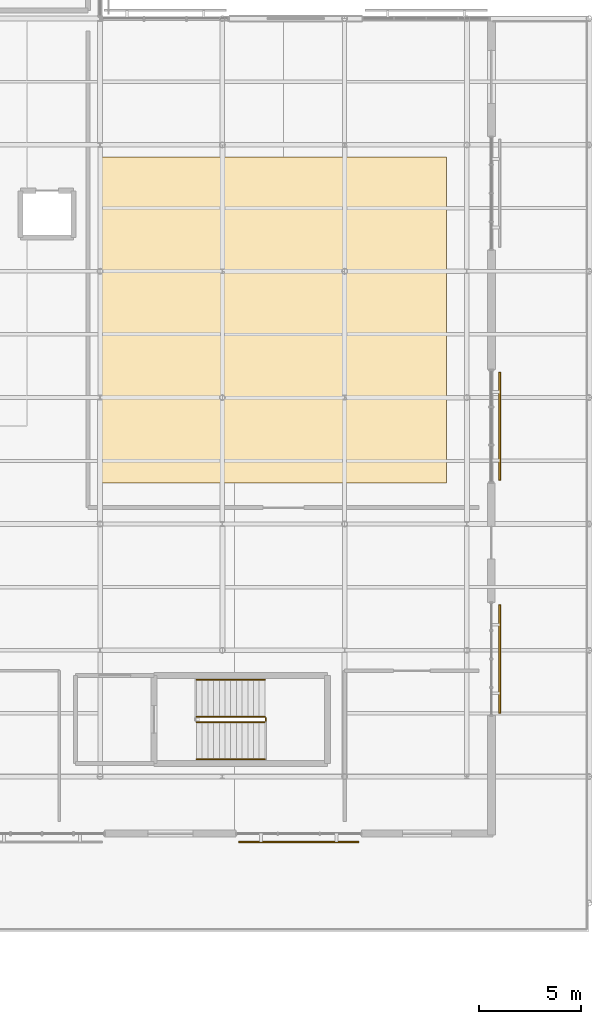
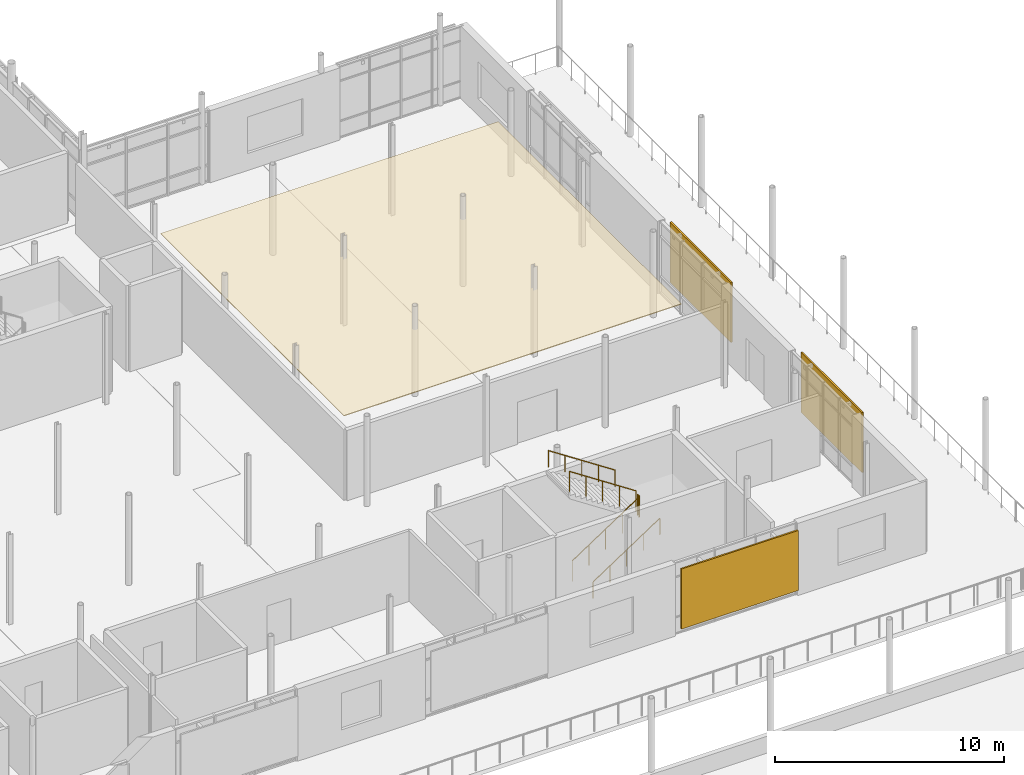
# One storey, part 65 of 66: 5 railings, 3 shading devices, 1 covering.
"""IFC4 building model written with IfcOpenShell, lengths in metres."""

from ifc_helpers import new_model, si_unit, direction, frame, origin, origin_2d, place, context, subcontext, project, spatial, polyline, rectangle, circle, outline, extrude, material, layer, layer_set, type_object, element, save


model = new_model("IFC4")

# Units and contexts
model_context = context("Model", 3, precision=1e-05, world=origin(), true_north=direction((0.0, 1.0)))
body_context = subcontext(model_context, "Body", "Model", "MODEL_VIEW")
ifc_project = project(units=[si_unit("LENGTHUNIT", "METRE"), si_unit("AREAUNIT", "SQUARE_METRE"), si_unit("VOLUMEUNIT", "CUBIC_METRE"), si_unit("PLANEANGLEUNIT", "RADIAN"), si_unit("MASSUNIT", "GRAM", prefix="KILO")], contexts=[model_context])

# Site, building, storey
site_placement = place(None, origin())
site = spatial("IfcSite", under=ifc_project, at=site_placement, CompositionType="ELEMENT")
building_placement = place(site_placement, origin())
building = spatial("IfcBuilding", under=site, at=building_placement, Name="Mirzam Square Science Centre", CompositionType="ELEMENT")
storey_placement = place(building_placement, frame((0.0, 0.0, 15.60009765625)))
storey = spatial("IfcBuildingStorey", under=building, at=storey_placement, Name="L03", CompositionType="ELEMENT", Elevation=15.60009765625)

# Covering
ifc_material_1 = material(Name="Perforated Mineral-Wool Acoustic Ceiling", Category="gypsum")
ifc_layer_1 = layer(ifc_material_1, 0.0400390625)
ifc_layer_set_1 = layer_set([ifc_layer_1], Name="COV-ACOUST-CEIL")
covering_type = type_object("IfcCoveringType", Name="COV-ACOUST-CEIL", PredefinedType="CEILING", material=ifc_layer_set_1)
covering_placement = place(storey_placement, frame((0.0, 0.0, 3.510009765625)))
element("IfcCovering", 1, at=covering_placement, inside=storey, type_object=covering_type, Name="L03 acoustic ceiling 06", PredefinedType="CEILING", context=body_context, shape_type="SweptSolid", body=[
    extrude(outline(polyline([(138.0, 64.0), (155.0, 64.0), (155.0, 80.0), (138.0, 80.0), (138.0, 64.0)])), origin(), (0.0, 0.0, 1.0), 0.039794921875),
])

# Railings
ifc_material_2 = material(Name="Bronze-Anodised Architectural Balustrade", Category="aluminium")
railing_type_1 = type_object("IfcRailingType", Name="RL-INT-GUARD-1100", PredefinedType="GUARDRAIL", material=ifc_material_2)
railing_1_placement = place(storey_placement, frame((142.72998046875, 52.280029296875, 0.1845703125)))
element("IfcRailing", 2, at=railing_1_placement, inside=storey, type_object=railing_type_1, Name="L03 ST-05 stair guard 1", PredefinedType="GUARDRAIL", context=body_context, shape_type="SweptSolid", body=[
    extrude(circle(Radius=0.02392578125, at=origin_2d()), frame((0.0, 0.0, 1.076171875), z_axis=(0.834876476806, 0.0, 0.550437342915), x_axis=(0.0, 1.0, 0.0)), (0.0, 0.0, 1.0), 4.024658203125),
    extrude(circle(Radius=0.02099609375, at=origin_2d()), origin(), (0.0, 0.0, 1.0), 1.052001953125),
    extrude(circle(Radius=0.02099609375, at=origin_2d()), frame((0.840087890625, 0.0, 0.5537109375)), (0.0, 0.0, 1.0), 1.052001953125),
    extrude(circle(Radius=0.02099609375, at=origin_2d()), frame((1.68017578125, 0.0, 1.107666015625)), (0.0, 0.0, 1.0), 1.052001953125),
    extrude(circle(Radius=0.02099609375, at=origin_2d()), frame((2.52001953125, 0.0, 1.66162109375)), (0.0, 0.0, 1.0), 1.052001953125),
    extrude(circle(Radius=0.02099609375, at=origin_2d()), frame((3.360107421875, 0.0, 2.21533203125)), (0.0, 0.0, 1.0), 1.052001953125),
])
railing_2_placement = place(storey_placement, frame((146.139892578125, 52.330078125, 2.39990234375)))
element("IfcRailing", 3, at=railing_2_placement, inside=storey, type_object=railing_type_1, Name="L03 ST-05 stair guard 2", PredefinedType="GUARDRAIL", context=body_context, shape_type="SweptSolid", body=[
    extrude(circle(Radius=0.02392578125, at=origin_2d()), frame((0.0, 0.0, 1.076171875), z_axis=(0.0, 1.0, 0.0), x_axis=(-1.0, 0.0, 0.0)), (0.0, 0.0, 1.0), 0.14990234375),
    extrude(circle(Radius=0.02099609375, at=origin_2d()), origin(), (0.0, 0.0, 1.0), 1.052001953125),
    extrude(circle(Radius=0.02099609375, at=origin_2d()), frame((0.0, 0.14990234375, 0.0)), (0.0, 0.0, 1.0), 1.052001953125),
])
railing_3_placement = place(storey_placement, frame((146.090087890625, 52.530029296875, 2.58447265625)))
element("IfcRailing", 4, at=railing_3_placement, inside=storey, type_object=railing_type_1, Name="L03 ST-05 stair guard 3", PredefinedType="GUARDRAIL", context=body_context, shape_type="SweptSolid", body=[
    extrude(circle(Radius=0.02392578125, at=origin_2d()), frame((0.0, 0.0, 1.076171875), z_axis=(-0.834876476806, 0.0, 0.550437342915), x_axis=(0.0, -1.0, 0.0)), (0.0, 0.0, 1.0), 4.024658203125),
    extrude(circle(Radius=0.02099609375, at=origin_2d()), origin(), (0.0, 0.0, 1.0), 1.052001953125),
    extrude(circle(Radius=0.02099609375, at=origin_2d()), frame((-0.840087890625, 0.0, 0.5537109375)), (0.0, 0.0, 1.0), 1.052001953125),
    extrude(circle(Radius=0.02099609375, at=origin_2d()), frame((-1.68017578125, 0.0, 1.107666015625)), (0.0, 0.0, 1.0), 1.052001953125),
    extrude(circle(Radius=0.02099609375, at=origin_2d()), frame((-2.52001953125, 0.0, 1.66162109375)), (0.0, 0.0, 1.0), 1.052001953125),
    extrude(circle(Radius=0.02099609375, at=origin_2d()), frame((-3.360107421875, 0.0, 2.21533203125)), (0.0, 0.0, 1.0), 1.052001953125),
])
ifc_material_3 = material(Name="Brushed Bronze Tubular Handrail", Category="aluminium")
railing_type_2 = type_object("IfcRailingType", Name="RL-STAIR-HANDRAIL-900", PredefinedType="HANDRAIL", material=ifc_material_3)
railing_4_placement = place(storey_placement, frame((142.72998046875, 50.449951171875, 0.381103515625)))
element("IfcRailing", 5, at=railing_4_placement, inside=storey, type_object=railing_type_2, Name="L03 ST-05 stair handrail 1", PredefinedType="HANDRAIL", context=body_context, shape_type="SweptSolid", body=[
    extrude(circle(Radius=0.02392578125, at=origin_2d()), frame((0.0, 0.0, 0.8759765625), z_axis=(0.834876476806, 0.0, 0.550437342915), x_axis=(0.0, 1.0, 0.0)), (0.0, 0.0, 1.0), 4.024658203125),
    extrude(circle(Radius=0.02099609375, at=origin_2d()), origin(), (0.0, 0.0, 1.0), 0.851806640625),
    extrude(circle(Radius=0.02099609375, at=origin_2d()), frame((0.840087890625, 0.0, 0.5537109375)), (0.0, 0.0, 1.0), 0.851806640625),
    extrude(circle(Radius=0.02099609375, at=origin_2d()), frame((1.68017578125, 0.0, 1.107666015625)), (0.0, 0.0, 1.0), 0.851806640625),
    extrude(circle(Radius=0.02099609375, at=origin_2d()), frame((2.52001953125, 0.0, 1.66162109375)), (0.0, 0.0, 1.0), 0.851806640625),
    extrude(circle(Radius=0.02099609375, at=origin_2d()), frame((3.360107421875, 0.0, 2.21533203125)), (0.0, 0.0, 1.0), 0.851806640625),
])
railing_5_placement = place(storey_placement, frame((146.090087890625, 54.360107421875, 2.78125)))
element("IfcRailing", 6, at=railing_5_placement, inside=storey, type_object=railing_type_2, Name="L03 ST-05 stair handrail 2", PredefinedType="HANDRAIL", context=body_context, shape_type="SweptSolid", body=[
    extrude(circle(Radius=0.02392578125, at=origin_2d()), frame((0.0, 0.0, 0.8759765625), z_axis=(-0.834876476806, 0.0, 0.550437342915), x_axis=(0.0, -1.0, 0.0)), (0.0, 0.0, 1.0), 4.024658203125),
    extrude(circle(Radius=0.02099609375, at=origin_2d()), origin(), (0.0, 0.0, 1.0), 0.851806640625),
    extrude(circle(Radius=0.02099609375, at=origin_2d()), frame((-0.840087890625, 0.0, 0.5537109375)), (0.0, 0.0, 1.0), 0.851806640625),
    extrude(circle(Radius=0.02099609375, at=origin_2d()), frame((-1.68017578125, 0.0, 1.107666015625)), (0.0, 0.0, 1.0), 0.851806640625),
    extrude(circle(Radius=0.02099609375, at=origin_2d()), frame((-2.52001953125, 0.0, 1.66162109375)), (0.0, 0.0, 1.0), 0.851806640625),
    extrude(circle(Radius=0.02099609375, at=origin_2d()), frame((-3.360107421875, 0.0, 2.21533203125)), (0.0, 0.0, 1.0), 0.851806640625),
])

# Shading devices
ifc_material_4 = material(Name="Perforated Bronze-Anodised Aluminium Brise-Soleil", Category="aluminium")
ifc_layer_2 = layer(ifc_material_4, 0.080078125)
ifc_layer_set_2 = layer_set([ifc_layer_2], Name="SHD-BRISE-BRONZE")
shading_device_type = type_object("IfcShadingDeviceType", Name="SHD-BRISE-BRONZE", PredefinedType="JALOUSIE", material=ifc_layer_set_2)
shading_device_placement = place(storey_placement, frame((147.75, 46.389892578125, 0.48974609375), z_axis=(0.0, 0.0, 1.0), x_axis=(1.0, 0.0, 0.0)))
element("IfcShadingDevice", 7, at=shading_device_placement, inside=storey, type_object=shading_device_type, Name="L03 bronze brise-soleil screen 116", PredefinedType="JALOUSIE", context=body_context, shape_type="SweptSolid", body=[
    extrude(rectangle(XDim=5.889892578125, YDim=0.080078125, at=origin_2d()), origin(), (0.0, 0.0, 1.0), 3.199951171875),
])
for number, where, z_axis, x_axis, name in (
    (8, (157.610107421875, 55.371337890625, 0.48974609375), (0.0, 0.0, 1.0), (0.0, 1.0, 0.0), "L03 bronze brise-soleil screen 117"),
    (9, (157.610107421875, 66.800048828125, 0.48974609375), (0.0, 0.0, 1.0), (0.0, 1.0, 0.0), "L03 bronze brise-soleil screen 118"),
):
    element("IfcShadingDevice", number, at=place(storey_placement, frame(where, z_axis=z_axis, x_axis=x_axis)), inside=storey, type_object=shading_device_type, Name=name, PredefinedType="JALOUSIE", context=body_context, shape_type="SweptSolid", body=[
        extrude(rectangle(XDim=5.30419921875, YDim=0.080078125, at=origin_2d()), origin(), (0.0, 0.0, 1.0), 3.199951171875),
    ])

save(model, "model.ifc")
